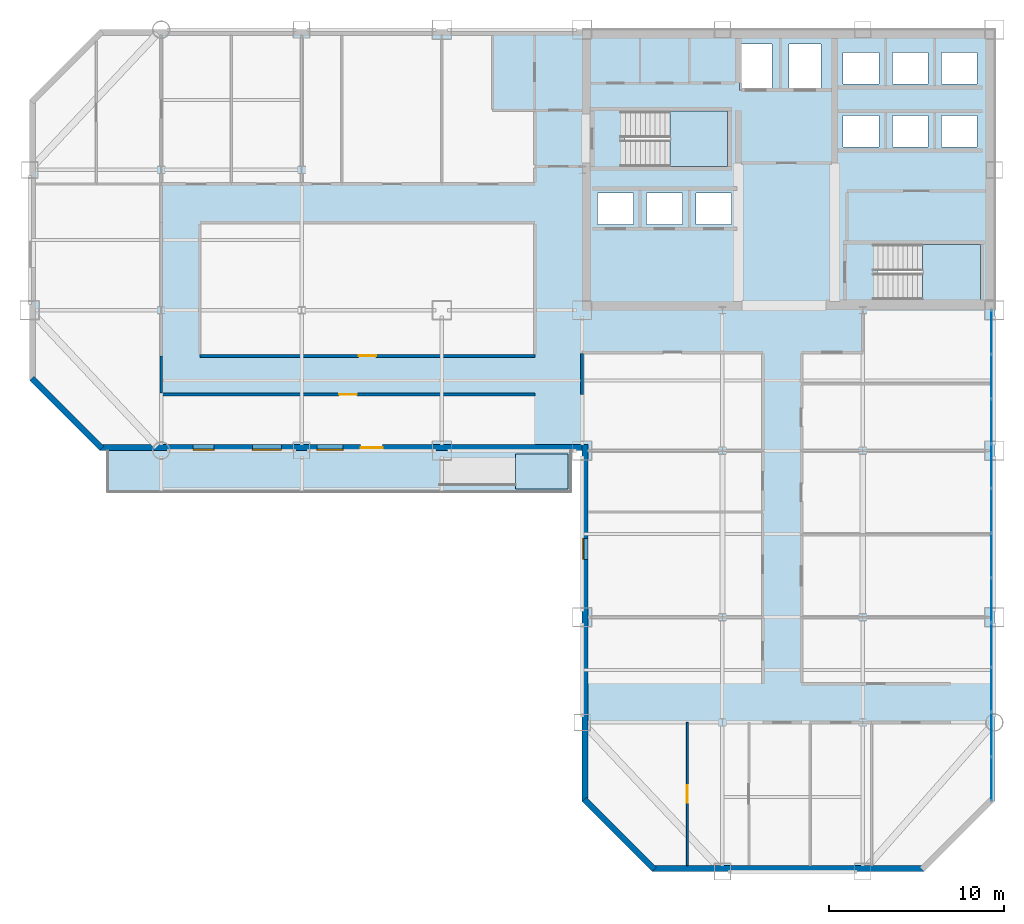
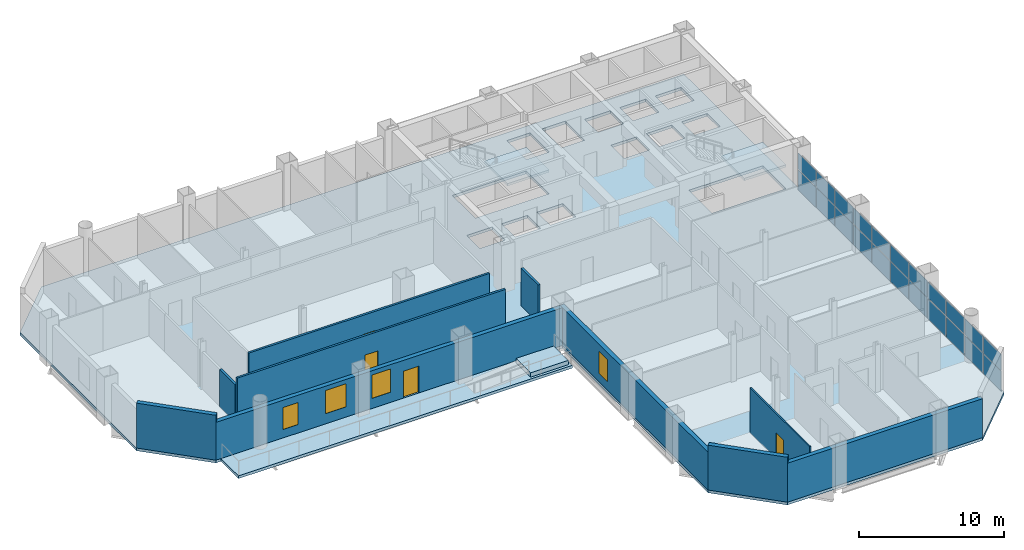
# One storey, part 11 of 16: 22 plates, 10 walls, 5 slabs, 4 doors, 4 windows, 8 openings, 4 elements without a shape of their own.
"""IFC4 building model written with IfcOpenShell, lengths in metres."""

from ifc_helpers import new_model, si_unit, direction, frame, frame_2d, origin, origin_2d, place, context, subcontext, project, spatial, polyline, rectangle, outline, extrude, material, layer, layer_set, type_object, element, fill, aggregate, save


model = new_model("IFC4")

# Units and contexts
model_context = context("Model", 3, precision=1e-05, world=origin(), true_north=direction((0.0, 1.0)))
body_context = subcontext(model_context, "Body", "Model", "MODEL_VIEW")
ifc_project = project(units=[si_unit("LENGTHUNIT", "METRE"), si_unit("AREAUNIT", "SQUARE_METRE"), si_unit("VOLUMEUNIT", "CUBIC_METRE"), si_unit("PLANEANGLEUNIT", "RADIAN"), si_unit("MASSUNIT", "GRAM", prefix="KILO")], contexts=[model_context])

# Site, building, storey
site_placement = place(None, origin())
site = spatial("IfcSite", under=ifc_project, at=site_placement, CompositionType="ELEMENT")
building_placement = place(site_placement, origin())
building = spatial("IfcBuilding", under=site, at=building_placement, Name="Qianrong Seaharbour Tower", CompositionType="ELEMENT")
storey_placement = place(building_placement, frame((0.0, 0.0, 123.0)))
storey = spatial("IfcBuildingStorey", under=building, at=storey_placement, Name="L29", CompositionType="ELEMENT", Elevation=123.0)

# Curtain wall, plates
ifc_material_1 = material(Name="Anodised aluminium 6063-T6 and laminated low-e glass", Category="aluminium")
ifc_layer_1 = layer(ifc_material_1, 0.195068359375)
ifc_layer_set_1 = layer_set([ifc_layer_1], Name="Anodised aluminium 6063-T6 and laminated low-e glass")
curtain_wall_type = type_object("IfcCurtainWallType", Name="CW-SYS-3", PredefinedType="NOTDEFINED", material=ifc_layer_set_1)
curtain_wall_placement = place(storey_placement, origin())
curtain_wall = element("IfcCurtainWall", 1, at=curtain_wall_placement, inside=storey, type_object=curtain_wall_type, Name="L29 Sky-Garden Wintergarden Curtain Wall EAST_WING", PredefinedType="NOTDEFINED")
ifc_material_2 = material(Name="Laminated solar-control low-e glass", Category="glass")
ifc_layer_2 = layer(ifc_material_2, 0.031982421875)
ifc_layer_set_2 = layer_set([ifc_layer_2], Name="Laminated solar-control low-e glass")
plate_type = type_object("IfcPlateType", Name="CW-PAN-VISION-32", PredefinedType="CURTAIN_PANEL", material=ifc_layer_set_2)
plate_1_placement = place(storey_placement, frame((63.830078125, 34.757568359375, 0.06494140625), z_axis=(0.0, 0.0, 1.0), x_axis=(0.0, -1.0, 0.0)))
plate_1 = element("IfcPlate", 2, at=plate_1_placement, type_object=plate_type, Name="CW-3 panel 1.1", PredefinedType="CURTAIN_PANEL", context=body_context, shape_type="SweptSolid", body=[
    extrude(rectangle(XDim=2.445068359375, YDim=0.031982421875, at=origin_2d()), origin(), (0.0, 0.0, 1.0), 1.67626953125),
])
plate_2_placement = place(storey_placement, frame((63.830078125, 34.757568359375, 1.80615234375), z_axis=(0.0, 0.0, 1.0), x_axis=(0.0, -1.0, 0.0)))
plate_2 = element("IfcPlate", 3, at=plate_2_placement, type_object=plate_type, Name="CW-3 panel 1.2", PredefinedType="CURTAIN_PANEL", context=body_context, shape_type="SweptSolid", body=[
    extrude(rectangle(XDim=2.445068359375, YDim=0.031982421875, at=origin_2d()), origin(), (0.0, 0.0, 1.0), 1.353759765625),
])
plate_3_placement = place(storey_placement, frame((63.830078125, 32.22509765625, 0.06494140625), z_axis=(0.0, 0.0, 1.0), x_axis=(0.0, -1.0, 0.0)))
plate_3 = element("IfcPlate", 4, at=plate_3_placement, type_object=plate_type, Name="CW-3 panel 2.1", PredefinedType="CURTAIN_PANEL", context=body_context, shape_type="SweptSolid", body=[
    extrude(rectangle(XDim=2.47998046875, YDim=0.031982421875, at=origin_2d()), origin(), (0.0, 0.0, 1.0), 1.67626953125),
])
plate_4_placement = place(storey_placement, frame((63.830078125, 32.22509765625, 1.80615234375), z_axis=(0.0, 0.0, 1.0), x_axis=(0.0, -1.0, 0.0)))
plate_4 = element("IfcPlate", 5, at=plate_4_placement, type_object=plate_type, Name="CW-3 panel 2.2", PredefinedType="CURTAIN_PANEL", context=body_context, shape_type="SweptSolid", body=[
    extrude(rectangle(XDim=2.47998046875, YDim=0.031982421875, at=origin_2d()), origin(), (0.0, 0.0, 1.0), 1.353759765625),
])
plate_5_placement = place(storey_placement, frame((63.830078125, 29.675048828125, 0.06494140625), z_axis=(0.0, 0.0, 1.0), x_axis=(0.0, -1.0, 0.0)))
plate_5 = element("IfcPlate", 6, at=plate_5_placement, type_object=plate_type, Name="CW-3 panel 3.1", PredefinedType="CURTAIN_PANEL", context=body_context, shape_type="SweptSolid", body=[
    extrude(rectangle(XDim=2.47998046875, YDim=0.031982421875, at=origin_2d()), origin(), (0.0, 0.0, 1.0), 1.67626953125),
])
plate_6_placement = place(storey_placement, frame((63.830078125, 29.675048828125, 1.80615234375), z_axis=(0.0, 0.0, 1.0), x_axis=(0.0, -1.0, 0.0)))
plate_6 = element("IfcPlate", 7, at=plate_6_placement, type_object=plate_type, Name="CW-3 panel 3.2", PredefinedType="CURTAIN_PANEL", context=body_context, shape_type="SweptSolid", body=[
    extrude(rectangle(XDim=2.47998046875, YDim=0.031982421875, at=origin_2d()), origin(), (0.0, 0.0, 1.0), 1.353759765625),
])
plate_7_placement = place(storey_placement, frame((63.830078125, 27.125, 0.06494140625), z_axis=(0.0, 0.0, 1.0), x_axis=(0.0, -1.0, 0.0)))
plate_7 = element("IfcPlate", 8, at=plate_7_placement, type_object=plate_type, Name="CW-3 panel 4.1", PredefinedType="CURTAIN_PANEL", context=body_context, shape_type="SweptSolid", body=[
    extrude(rectangle(XDim=2.47998046875, YDim=0.031982421875, at=origin_2d()), origin(), (0.0, 0.0, 1.0), 1.67626953125),
])
plate_8_placement = place(storey_placement, frame((63.830078125, 27.125, 1.80615234375), z_axis=(0.0, 0.0, 1.0), x_axis=(0.0, -1.0, 0.0)))
plate_8 = element("IfcPlate", 9, at=plate_8_placement, type_object=plate_type, Name="CW-3 panel 4.2", PredefinedType="CURTAIN_PANEL", context=body_context, shape_type="SweptSolid", body=[
    extrude(rectangle(XDim=2.47998046875, YDim=0.031982421875, at=origin_2d()), origin(), (0.0, 0.0, 1.0), 1.353759765625),
])
plate_9_placement = place(storey_placement, frame((63.830078125, 24.574951171875, 0.06494140625), z_axis=(0.0, 0.0, 1.0), x_axis=(0.0, -1.0, 0.0)))
plate_9 = element("IfcPlate", 10, at=plate_9_placement, type_object=plate_type, Name="CW-3 panel 5.1", PredefinedType="CURTAIN_PANEL", context=body_context, shape_type="SweptSolid", body=[
    extrude(rectangle(XDim=2.47998046875, YDim=0.031982421875, at=origin_2d()), origin(), (0.0, 0.0, 1.0), 1.67626953125),
])
plate_10_placement = place(storey_placement, frame((63.830078125, 24.574951171875, 1.80615234375), z_axis=(0.0, 0.0, 1.0), x_axis=(0.0, -1.0, 0.0)))
plate_10 = element("IfcPlate", 11, at=plate_10_placement, type_object=plate_type, Name="CW-3 panel 5.2", PredefinedType="CURTAIN_PANEL", context=body_context, shape_type="SweptSolid", body=[
    extrude(rectangle(XDim=2.47998046875, YDim=0.031982421875, at=origin_2d()), origin(), (0.0, 0.0, 1.0), 1.353759765625),
])
plate_11_placement = place(storey_placement, frame((63.830078125, 22.02490234375, 0.06494140625), z_axis=(0.0, 0.0, 1.0), x_axis=(0.0, -1.0, 0.0)))
plate_11 = element("IfcPlate", 12, at=plate_11_placement, type_object=plate_type, Name="CW-3 panel 6.1", PredefinedType="CURTAIN_PANEL", context=body_context, shape_type="SweptSolid", body=[
    extrude(rectangle(XDim=2.47998046875, YDim=0.031982421875, at=origin_2d()), origin(), (0.0, 0.0, 1.0), 1.67626953125),
])
plate_12_placement = place(storey_placement, frame((63.830078125, 22.02490234375, 1.80615234375), z_axis=(0.0, 0.0, 1.0), x_axis=(0.0, -1.0, 0.0)))
plate_12 = element("IfcPlate", 13, at=plate_12_placement, type_object=plate_type, Name="CW-3 panel 6.2", PredefinedType="CURTAIN_PANEL", context=body_context, shape_type="SweptSolid", body=[
    extrude(rectangle(XDim=2.47998046875, YDim=0.031982421875, at=origin_2d()), origin(), (0.0, 0.0, 1.0), 1.353759765625),
])
plate_13_placement = place(storey_placement, frame((63.830078125, 19.47509765625, 0.06494140625), z_axis=(0.0, 0.0, 1.0), x_axis=(0.0, -1.0, 0.0)))
plate_13 = element("IfcPlate", 14, at=plate_13_placement, type_object=plate_type, Name="CW-3 panel 7.1", PredefinedType="CURTAIN_PANEL", context=body_context, shape_type="SweptSolid", body=[
    extrude(rectangle(XDim=2.47998046875, YDim=0.031982421875, at=origin_2d()), origin(), (0.0, 0.0, 1.0), 1.67626953125),
])
plate_14_placement = place(storey_placement, frame((63.830078125, 19.47509765625, 1.80615234375), z_axis=(0.0, 0.0, 1.0), x_axis=(0.0, -1.0, 0.0)))
plate_14 = element("IfcPlate", 15, at=plate_14_placement, type_object=plate_type, Name="CW-3 panel 7.2", PredefinedType="CURTAIN_PANEL", context=body_context, shape_type="SweptSolid", body=[
    extrude(rectangle(XDim=2.47998046875, YDim=0.031982421875, at=origin_2d()), origin(), (0.0, 0.0, 1.0), 1.353759765625),
])
plate_15_placement = place(storey_placement, frame((63.830078125, 16.925048828125, 0.06494140625), z_axis=(0.0, 0.0, 1.0), x_axis=(0.0, -1.0, 0.0)))
plate_15 = element("IfcPlate", 16, at=plate_15_placement, type_object=plate_type, Name="CW-3 panel 8.1", PredefinedType="CURTAIN_PANEL", context=body_context, shape_type="SweptSolid", body=[
    extrude(rectangle(XDim=2.47998046875, YDim=0.031982421875, at=origin_2d()), origin(), (0.0, 0.0, 1.0), 1.67626953125),
])
plate_16_placement = place(storey_placement, frame((63.830078125, 16.925048828125, 1.80615234375), z_axis=(0.0, 0.0, 1.0), x_axis=(0.0, -1.0, 0.0)))
plate_16 = element("IfcPlate", 17, at=plate_16_placement, type_object=plate_type, Name="CW-3 panel 8.2", PredefinedType="CURTAIN_PANEL", context=body_context, shape_type="SweptSolid", body=[
    extrude(rectangle(XDim=2.47998046875, YDim=0.031982421875, at=origin_2d()), origin(), (0.0, 0.0, 1.0), 1.353759765625),
])
plate_17_placement = place(storey_placement, frame((63.830078125, 14.375, 0.06494140625), z_axis=(0.0, 0.0, 1.0), x_axis=(0.0, -1.0, 0.0)))
plate_17 = element("IfcPlate", 18, at=plate_17_placement, type_object=plate_type, Name="CW-3 panel 9.1", PredefinedType="CURTAIN_PANEL", context=body_context, shape_type="SweptSolid", body=[
    extrude(rectangle(XDim=2.47998046875, YDim=0.031982421875, at=origin_2d()), origin(), (0.0, 0.0, 1.0), 1.67626953125),
])
plate_18_placement = place(storey_placement, frame((63.830078125, 14.375, 1.80615234375), z_axis=(0.0, 0.0, 1.0), x_axis=(0.0, -1.0, 0.0)))
plate_18 = element("IfcPlate", 19, at=plate_18_placement, type_object=plate_type, Name="CW-3 panel 9.2", PredefinedType="CURTAIN_PANEL", context=body_context, shape_type="SweptSolid", body=[
    extrude(rectangle(XDim=2.47998046875, YDim=0.031982421875, at=origin_2d()), origin(), (0.0, 0.0, 1.0), 1.353759765625),
])
plate_19_placement = place(storey_placement, frame((63.830078125, 11.824951171875, 0.06494140625), z_axis=(0.0, 0.0, 1.0), x_axis=(0.0, -1.0, 0.0)))
plate_19 = element("IfcPlate", 20, at=plate_19_placement, type_object=plate_type, Name="CW-3 panel 10.1", PredefinedType="CURTAIN_PANEL", context=body_context, shape_type="SweptSolid", body=[
    extrude(rectangle(XDim=2.47998046875, YDim=0.031982421875, at=origin_2d()), origin(), (0.0, 0.0, 1.0), 1.67626953125),
])
plate_20_placement = place(storey_placement, frame((63.830078125, 11.824951171875, 1.80615234375), z_axis=(0.0, 0.0, 1.0), x_axis=(0.0, -1.0, 0.0)))
plate_20 = element("IfcPlate", 21, at=plate_20_placement, type_object=plate_type, Name="CW-3 panel 10.2", PredefinedType="CURTAIN_PANEL", context=body_context, shape_type="SweptSolid", body=[
    extrude(rectangle(XDim=2.47998046875, YDim=0.031982421875, at=origin_2d()), origin(), (0.0, 0.0, 1.0), 1.353759765625),
])
plate_21_placement = place(storey_placement, frame((63.830078125, 9.29248046875, 0.06494140625), z_axis=(0.0, 0.0, 1.0), x_axis=(0.0, -1.0, 0.0)))
plate_21 = element("IfcPlate", 22, at=plate_21_placement, type_object=plate_type, Name="CW-3 panel 11.1", PredefinedType="CURTAIN_PANEL", context=body_context, shape_type="SweptSolid", body=[
    extrude(rectangle(XDim=2.445068359375, YDim=0.031982421875, at=origin_2d()), origin(), (0.0, 0.0, 1.0), 1.67626953125),
])
plate_22_placement = place(storey_placement, frame((63.830078125, 9.29248046875, 1.80615234375), z_axis=(0.0, 0.0, 1.0), x_axis=(0.0, -1.0, 0.0)))
plate_22 = element("IfcPlate", 23, at=plate_22_placement, type_object=plate_type, Name="CW-3 panel 11.2", PredefinedType="CURTAIN_PANEL", context=body_context, shape_type="SweptSolid", body=[
    extrude(rectangle(XDim=2.445068359375, YDim=0.031982421875, at=origin_2d()), origin(), (0.0, 0.0, 1.0), 1.353759765625),
])
aggregate(curtain_wall, [plate_1, plate_2, plate_3, plate_4, plate_5, plate_6, plate_7, plate_8, plate_9, plate_10, plate_11, plate_12, plate_13, plate_14, plate_15, plate_16, plate_17, plate_18, plate_19, plate_20, plate_21, plate_22])

# Ramp, slab
ifc_material_3 = material(Name="White architectural precast concrete C45/55", Category="concrete")
ramp_type = type_object("IfcRampType", Name="RAMP-RIBBON-GARDEN", PredefinedType="STRAIGHT_RUN_RAMP", material=ifc_material_3)
ramp_placement = place(storey_placement, origin())
ramp = element("IfcRamp", 24, at=ramp_placement, inside=storey, type_object=ramp_type, Name="L29 Harbourfront Garden Ribbon Ramp", PredefinedType="STRAIGHT_RUN_RAMP")
ifc_layer_3 = layer(ifc_material_3, 0.360107421875)
ifc_layer_set_3 = layer_set([ifc_layer_3], Name="White architectural precast concrete C45/55")
slab_type_1 = type_object("IfcSlabType", Name="SLAB-RAMP-LANDING-220", PredefinedType="LANDING", material=ifc_layer_set_3)
slab_1_placement = place(storey_placement, origin())
slab_1 = element("IfcSlab", 25, at=slab_1_placement, type_object=slab_type_1, Name="L29 Harbourfront Ribbon Raised Garden Landing", PredefinedType="LANDING", context=body_context, shape_type="SweptSolid", body=[
    extrude(outline(polyline([(36.699951171875, 25.800048828125), (39.699951171875, 25.800048828125), (39.699951171875, 27.800048828125), (36.699951171875, 27.800048828125), (36.699951171875, 25.800048828125)])), origin(), (0.0, 0.0, 1.0), 0.360107421875),
])
aggregate(ramp, [slab_1])

# Slab
ifc_layer_4 = layer(ifc_material_3, 0.235107421875)
ifc_layer_set_4 = layer_set([ifc_layer_4], Name="White architectural precast concrete C45/55")
slab_type_2 = type_object("IfcSlabType", Name="SLAB-RIBBON-235", PredefinedType="FLOOR", material=ifc_layer_set_4)
slab_2_placement = place(storey_placement, frame((0.0, 0.0, -0.235107421875)))
element("IfcSlab", 26, at=slab_2_placement, inside=storey, type_object=slab_type_2, Name="L29 Harbourfront White Precast Ribbon Gallery Slab", PredefinedType="FLOOR", context=body_context, shape_type="SweptSolid", body=[
    extrude(outline(polyline([(13.39990234375, 25.60009765625), (39.89990234375, 25.60009765625), (39.89990234375, 28.0), (13.39990234375, 28.0), (13.39990234375, 25.60009765625)])), origin(), (0.0, 0.0, 1.0), 0.235107421875),
])

# Stair, slab
ifc_material_4 = material(Name="Concrete C50/60", Category="concrete")
stair_type = type_object("IfcStairType", Name="STAIR-DOGLEG-1500-R22", PredefinedType="HALF_TURN_STAIR", material=ifc_material_4)
stair_1_placement = place(storey_placement, origin())
stair_1 = element("IfcStair", 27, at=stair_1_placement, inside=storey, type_object=stair_type, Name="L29 Protected Escape Stair ST-1", PredefinedType="HALF_TURN_STAIR")
ifc_layer_5 = layer(ifc_material_4, 0.199951171875)
ifc_layer_set_5 = layer_set([ifc_layer_5], Name="Concrete C50/60")
slab_type_3 = type_object("IfcSlabType", Name="SLAB-STAIR-LANDING-200", PredefinedType="LANDING", material=ifc_layer_set_5)
slab_3_placement = place(storey_placement, frame((0.0, 0.0, 1.800048828125)))
slab_3 = element("IfcSlab", 28, at=slab_3_placement, type_object=slab_type_3, Name="ST-1 landing 1", PredefinedType="LANDING", context=body_context, shape_type="SweptSolid", body=[
    extrude(outline(polyline([(45.5, 44.199951171875), (48.800048828125, 44.199951171875), (48.800048828125, 47.35009765625), (45.5, 47.35009765625), (45.5, 44.199951171875)])), origin(), (0.0, 0.0, 1.0), 0.199951171875),
])
aggregate(stair_1, [slab_3])

stair_2_placement = place(storey_placement, origin())
stair_2 = element("IfcStair", 29, at=stair_2_placement, inside=storey, type_object=stair_type, Name="L29 Protected Escape Stair ST-2", PredefinedType="HALF_TURN_STAIR")
slab_4_placement = place(storey_placement, frame((0.0, 0.0, 1.800048828125)))
slab_4 = element("IfcSlab", 30, at=slab_4_placement, type_object=slab_type_3, Name="ST-2 landing 1", PredefinedType="LANDING", context=body_context, shape_type="SweptSolid", body=[
    extrude(outline(polyline([(59.89990234375, 36.60009765625), (63.199951171875, 36.60009765625), (63.199951171875, 39.75), (59.89990234375, 39.75), (59.89990234375, 36.60009765625)])), origin(), (0.0, 0.0, 1.0), 0.199951171875),
])
aggregate(stair_2, [slab_4])

# Slab
ifc_layer_6 = layer(ifc_material_4, 0.235107421875)
ifc_layer_set_6 = layer_set([ifc_layer_6], Name="Concrete C50/60")
slab_type_4 = type_object("IfcSlabType", Name="SLAB-Z2-235", PredefinedType="FLOOR", material=ifc_layer_set_6)
slab_5_placement = place(storey_placement, frame((0.0, 0.0, -0.235107421875)))
element("IfcSlab", 31, at=slab_5_placement, inside=storey, type_object=slab_type_4, Name="L29 Structural Floor Slab", PredefinedType="FLOOR", context=body_context, shape_type="SweptSolid", body=[
    extrude(outline(polyline([(44.5, 4.0), (60.0, 4.0), (64.0, 8.0), (64.0, 52.0), (13.0, 52.0), (9.0, 48.0), (9.0, 32.0), (13.0, 28.0), (40.5, 28.0), (40.5, 8.0), (44.5, 4.0)]), holes=[polyline([(42.93994140625, 44.199951171875), (42.93994140625, 47.35009765625), (48.800048828125, 47.35009765625), (48.800048828125, 44.199951171875), (42.93994140625, 44.199951171875)]), polyline([(57.340087890625, 36.60009765625), (57.340087890625, 39.75), (63.199951171875, 39.75), (63.199951171875, 36.60009765625), (57.340087890625, 36.60009765625)]), polyline([(49.47998046875, 48.530029296875), (49.47998046875, 51.169921875), (51.320068359375, 51.169921875), (51.320068359375, 48.530029296875), (49.47998046875, 48.530029296875)]), polyline([(52.280029296875, 48.530029296875), (52.280029296875, 51.169921875), (54.1201171875, 51.169921875), (54.1201171875, 48.530029296875), (52.280029296875, 48.530029296875)]), polyline([(41.3798828125, 40.89990234375), (41.3798828125, 42.699951171875), (43.419921875, 42.699951171875), (43.419921875, 40.89990234375), (41.3798828125, 40.89990234375)]), polyline([(44.179931640625, 40.89990234375), (44.179931640625, 42.699951171875), (46.219970703125, 42.699951171875), (46.219970703125, 40.89990234375), (44.179931640625, 40.89990234375)]), polyline([(46.97998046875, 40.89990234375), (46.97998046875, 42.699951171875), (49.02001953125, 42.699951171875), (49.02001953125, 40.89990234375), (46.97998046875, 40.89990234375)]), polyline([(55.3798828125, 45.300048828125), (55.3798828125, 47.10009765625), (57.419921875, 47.10009765625), (57.419921875, 45.300048828125), (55.3798828125, 45.300048828125)]), polyline([(58.179931640625, 45.300048828125), (58.179931640625, 47.10009765625), (60.219970703125, 47.10009765625), (60.219970703125, 45.300048828125), (58.179931640625, 45.300048828125)]), polyline([(60.97998046875, 45.300048828125), (60.97998046875, 47.10009765625), (63.02001953125, 47.10009765625), (63.02001953125, 45.300048828125), (60.97998046875, 45.300048828125)]), polyline([(55.3798828125, 48.89990234375), (55.3798828125, 50.699951171875), (57.419921875, 50.699951171875), (57.419921875, 48.89990234375), (55.3798828125, 48.89990234375)]), polyline([(58.179931640625, 48.89990234375), (58.179931640625, 50.699951171875), (60.219970703125, 50.699951171875), (60.219970703125, 48.89990234375), (58.179931640625, 48.89990234375)]), polyline([(60.97998046875, 48.89990234375), (60.97998046875, 50.699951171875), (63.02001953125, 50.699951171875), (63.02001953125, 48.89990234375), (60.97998046875, 48.89990234375)])]), origin(), (0.0, 0.0, 1.0), 0.235107421875),
])

# Wall, opening, door
ifc_material_5 = material(Name="Fire-rated acoustic gypsum board partition")
ifc_layer_7 = layer(ifc_material_5, 0.1650390625)
ifc_layer_set_7 = layer_set([ifc_layer_7], Name="Fire-rated acoustic gypsum board partition")
wall_type_1 = type_object("IfcWallType", Name="WALL-CORR-PART-165", PredefinedType="PARTITIONING", material=ifc_layer_set_7)
wall_1_placement = place(storey_placement, frame((37.800048828125, 31.199951171875, 0.0), z_axis=(0.0, 0.0, 1.0), x_axis=(-1.0, 0.0, 0.0)))
wall_1 = element("IfcWall", 32, at=wall_1_placement, inside=storey, type_object=wall_type_1, Name="L29 Interior Partition Wall 015", PredefinedType="PARTITIONING", context=body_context, shape_type="SweptSolid", body=[
    extrude(rectangle(XDim=21.300048828125, YDim=0.1650390625, at=frame_2d((10.64990234375, 0.0))), origin(), (0.0, 0.0, 1.0), 3.764892578125),
])
opening_1_placement = place(wall_1_placement, frame((10.14990234375, 0.0, 0.0)))
opening_1 = element("IfcOpeningElement", 33, at=opening_1_placement, cuts=wall_1, Name="Opening DO-01", PredefinedType="OPENING", context=body_context, shape_type="SweptSolid", body=[
    extrude(rectangle(XDim=1.0, YDim=2.14990234375, at=frame_2d((0.5, 1.074951171875))), frame((0.0, 0.092529296875, 0.0), z_axis=(0.0, -1.0, 0.0), x_axis=(1.0, 0.0, 0.0)), (0.0, 0.0, 1.0), 0.18505859375),
])
ifc_material_6 = material(Name="Acoustic timber and galvanized steel fire door assembly", Category="steel")
door_type_1 = type_object("IfcDoorType", Name="DOOR-OFFICE-1000x2150", OperationType="NOTDEFINED", PredefinedType="DOOR", material=ifc_material_6)
door_1_placement = place(opening_1_placement, origin())
door_1 = element("IfcDoor", 34, at=door_1_placement, inside=storey, type_object=door_type_1, Name="L29 Open-Plan Office Door", OperationType="SINGLE_SWING_RIGHT", OverallHeight=2.14990234375, OverallWidth=1.0, PredefinedType="DOOR", context=body_context, shape_type="SweptSolid", body=[
    extrude(rectangle(XDim=1.0, YDim=2.14990234375, at=frame_2d((0.5, 1.074951171875))), frame((0.0, 0.02490234375, 0.0), z_axis=(0.0, -1.0, 0.0), x_axis=(1.0, 0.0, 0.0)), (0.0, 0.0, 1.0), 0.050048828125),
])
fill(opening_1, door_1)

# Wall
wall_2_placement = place(storey_placement, frame((16.5, 31.2744140625, 0.0), z_axis=(0.0, 0.0, 1.0), x_axis=(0.0, 1.0, 0.0)))
element("IfcWall", 35, at=wall_2_placement, inside=storey, type_object=wall_type_1, Name="L29 Interior Partition Wall 016", PredefinedType="PARTITIONING", context=body_context, shape_type="SweptSolid", body=[
    extrude(rectangle(XDim=2.12548828125, YDim=0.1650390625, at=frame_2d((1.062744140625, 0.0))), origin(), (0.0, 0.0, 1.0), 3.156982421875),
])

# Wall, opening, door
wall_3_placement = place(storey_placement, frame((18.699951171875, 33.39990234375, 0.0), z_axis=(0.0, 0.0, 1.0), x_axis=(1.0, 0.0, 0.0)))
wall_3 = element("IfcWall", 36, at=wall_3_placement, inside=storey, type_object=wall_type_1, Name="L29 Interior Partition Wall 017", PredefinedType="PARTITIONING", context=body_context, shape_type="SweptSolid", body=[
    extrude(rectangle(XDim=19.10009765625, YDim=0.1650390625, at=frame_2d((9.550048828125, 0.0))), origin(), (0.0, 0.0, 1.0), 3.764892578125),
])
opening_2_placement = place(wall_3_placement, frame((9.050048828125, 0.0, 0.0)))
opening_2 = element("IfcOpeningElement", 37, at=opening_2_placement, cuts=wall_3, Name="Opening DO-01", PredefinedType="OPENING", context=body_context, shape_type="SweptSolid", body=[
    extrude(rectangle(XDim=1.0, YDim=2.14990234375, at=frame_2d((0.5, 1.074951171875))), frame((0.0, 0.092529296875, 0.0), z_axis=(0.0, -1.0, 0.0), x_axis=(1.0, 0.0, 0.0)), (0.0, 0.0, 1.0), 0.18505859375),
])
door_2_placement = place(opening_2_placement, origin())
door_2 = element("IfcDoor", 38, at=door_2_placement, inside=storey, type_object=door_type_1, Name="L29 West Wing Open-Plan Office Door", OperationType="SINGLE_SWING_LEFT", OverallHeight=2.14990234375, OverallWidth=1.0, PredefinedType="DOOR", context=body_context, shape_type="SweptSolid", body=[
    extrude(rectangle(XDim=1.0, YDim=2.14990234375, at=frame_2d((0.5, 1.074951171875))), frame((0.0, 0.02490234375, 0.0), z_axis=(0.0, -1.0, 0.0), x_axis=(1.0, 0.0, 0.0)), (0.0, 0.0, 1.0), 0.050048828125),
])
fill(opening_2, door_2)

# Wall
wall_4_placement = place(storey_placement, frame((40.5, 33.525390625, 0.0), z_axis=(0.0, 0.0, 1.0), x_axis=(0.0, -1.0, 0.0)))
element("IfcWall", 39, at=wall_4_placement, inside=storey, type_object=wall_type_1, Name="L29 Interior Partition Wall 029", PredefinedType="PARTITIONING", context=body_context, shape_type="SweptSolid", body=[
    extrude(rectangle(XDim=2.325439453125, YDim=0.1650390625, at=frame_2d((1.16259765625, 0.0))), origin(), (0.0, 0.0, 1.0), 3.156982421875),
])

# Wall, opening, door
ifc_material_7 = material(Name="Demountable aluminium-framed acoustic office partition", Category="aluminium")
ifc_layer_8 = layer(ifc_material_7, 0.110107421875)
ifc_layer_set_8 = layer_set([ifc_layer_8], Name="Demountable aluminium-framed acoustic office partition")
wall_type_2 = type_object("IfcWallType", Name="WALL-DEMOUNT-110", PredefinedType="MOVABLE", material=ifc_layer_set_8)
wall_5_placement = place(storey_placement, frame((46.5, 12.5, 0.0), z_axis=(0.0, 0.0, 1.0), x_axis=(0.0, -1.0, 0.0)))
wall_5 = element("IfcWall", 40, at=wall_5_placement, inside=storey, type_object=wall_type_2, Name="L29 Interior Partition Wall 061", PredefinedType="MOVABLE", context=body_context, shape_type="SweptSolid", body=[
    extrude(rectangle(XDim=8.16796875, YDim=0.110107421875, at=frame_2d((4.083984375, 0.0))), origin(), (0.0, 0.0, 1.0), 3.764892578125),
])
opening_3_placement = place(wall_5_placement, frame((3.583984375, 0.0, 0.0)))
opening_3 = element("IfcOpeningElement", 41, at=opening_3_placement, cuts=wall_5, Name="Opening DO-01", PredefinedType="OPENING", context=body_context, shape_type="SweptSolid", body=[
    extrude(rectangle(XDim=1.0, YDim=2.14990234375, at=frame_2d((0.5, 1.074951171875))), frame((0.0, 0.06494140625, 0.0), z_axis=(0.0, -1.0, 0.0), x_axis=(1.0, 0.0, 0.0)), (0.0, 0.0, 1.0), 0.130126953125),
])
door_3_placement = place(opening_3_placement, origin())
door_3 = element("IfcDoor", 42, at=door_3_placement, inside=storey, type_object=door_type_1, Name="L29 Executive Office 1 Door", OperationType="SINGLE_SWING_RIGHT", OverallHeight=2.14990234375, OverallWidth=1.0, PredefinedType="DOOR", context=body_context, shape_type="SweptSolid", body=[
    extrude(rectangle(XDim=1.0, YDim=2.14990234375, at=frame_2d((0.5, 1.074951171875))), frame((0.0, 0.02490234375, 0.0), z_axis=(0.0, -1.0, 0.0), x_axis=(1.0, 0.0, 0.0)), (0.0, 0.0, 1.0), 0.050048828125),
])
fill(opening_3, door_3)

# Wall, opening, window
ifc_material_8 = material(Name="Unitised buff brick on Precast concrete C45/55", Category="masonry")
ifc_layer_9 = layer(ifc_material_8, 0.340087890625)
ifc_layer_set_9 = layer_set([ifc_layer_9], Name="Unitised buff brick on Precast concrete C45/55")
wall_type_3 = type_object("IfcWallType", Name="WALL-EXT-BRICK-BUFF-340", PredefinedType="SOLIDWALL", material=ifc_layer_set_9)
wall_6_placement = place(storey_placement, frame((40.669921875, 8.0, 0.0), z_axis=(0.0, 0.0, 1.0), x_axis=(0.0, 1.0, 0.0)))
wall_6 = element("IfcWall", 43, at=wall_6_placement, inside=storey, type_object=wall_type_3, Name="L29 Exterior Masonry Facade Wall REENTRANT_WEST", PredefinedType="SOLIDWALL", context=body_context, shape_type="SweptSolid", body=[
    extrude(rectangle(XDim=20.340087890625, YDim=0.340087890625, at=frame_2d((10.169921875, 0.0))), origin(), (0.0, 0.0, 1.0), 3.1650390625),
])
opening_4_placement = place(wall_6_placement, frame((13.800048828125, 0.0, 0.699951171875)))
opening_4 = element("IfcOpeningElement", 44, at=opening_4_placement, cuts=wall_6, Name="Opening WN-01", PredefinedType="OPENING", context=body_context, shape_type="SweptSolid", body=[
    extrude(rectangle(XDim=1.199951171875, YDim=1.85009765625, at=frame_2d((0.60009765625, 0.925048828125))), frame((0.0, 0.18017578125, 0.0), z_axis=(0.0, -1.0, 0.0), x_axis=(1.0, 0.0, 0.0)), (0.0, 0.0, 1.0), 0.360107421875),
])
ifc_material_9 = material(Name="Insulated low-e double glazing in thermally broken aluminium 6063-T6 frame", Category="aluminium")
window_type_1 = type_object("IfcWindowType", Name="WIN-PUNCH-1200x1850", PartitioningType="DOUBLE_PANEL_VERTICAL", PredefinedType="WINDOW", material=ifc_material_9)
window_1_placement = place(opening_4_placement, origin())
window_1 = element("IfcWindow", 45, at=window_1_placement, inside=storey, type_object=window_type_1, Name="L29 Deep-Set Punched Window 00.04", OverallHeight=1.85009765625, OverallWidth=1.199951171875, PartitioningType="DOUBLE_PANEL_VERTICAL", PredefinedType="WINDOW", context=body_context, shape_type="SweptSolid", body=[
    extrude(rectangle(XDim=1.199951171875, YDim=1.85009765625, at=frame_2d((0.60009765625, 0.925048828125))), frame((0.0, 0.150146484375, 0.0), z_axis=(0.0, -1.0, 0.0), x_axis=(1.0, 0.0, 0.0)), (0.0, 0.0, 1.0), 0.06005859375),
])
fill(opening_4, window_1)

# Wall, openings, door, windows
wall_7_placement = place(storey_placement, frame((40.52001953125, 28.169921875, 0.0), z_axis=(0.0, 0.0, 1.0), x_axis=(-1.0, 0.0, 0.0)))
wall_7 = element("IfcWall", 46, at=wall_7_placement, inside=storey, type_object=wall_type_3, Name="L29 Exterior Masonry Facade Wall HARBOUR_RIBBON", PredefinedType="SOLIDWALL", context=body_context, shape_type="SweptSolid", body=[
    extrude(rectangle(XDim=27.52001953125, YDim=0.340087890625, at=frame_2d((13.760009765625, 0.0))), origin(), (0.0, 0.0, 1.0), 3.1650390625),
])
opening_5_placement = place(wall_7_placement, frame((13.64990234375, 0.0, 0.85009765625)))
opening_5 = element("IfcOpeningElement", 47, at=opening_5_placement, cuts=wall_7, Name="Opening WN-03", PredefinedType="OPENING", context=body_context, shape_type="SweptSolid", body=[
    extrude(rectangle(XDim=1.5, YDim=1.949951171875, at=frame_2d((0.75, 0.97509765625))), frame((0.0, 0.18017578125, 0.0), z_axis=(0.0, -1.0, 0.0), x_axis=(1.0, 0.0, 0.0)), (0.0, 0.0, 1.0), 0.360107421875),
])
opening_6_placement = place(wall_7_placement, frame((17.175048828125, 0.0, 0.85009765625)))
opening_6 = element("IfcOpeningElement", 48, at=opening_6_placement, cuts=wall_7, Name="Opening WN-04", PredefinedType="OPENING", context=body_context, shape_type="SweptSolid", body=[
    extrude(rectangle(XDim=1.64990234375, YDim=1.949951171875, at=frame_2d((0.824951171875, 0.97509765625))), frame((0.0, 0.18017578125, 0.0), z_axis=(0.0, -1.0, 0.0), x_axis=(1.0, 0.0, 0.0)), (0.0, 0.0, 1.0), 0.360107421875),
])
opening_7_placement = place(wall_7_placement, frame((21.0, 0.0, 0.699951171875)))
opening_7 = element("IfcOpeningElement", 49, at=opening_7_placement, cuts=wall_7, Name="Opening WN-01", PredefinedType="OPENING", context=body_context, shape_type="SweptSolid", body=[
    extrude(rectangle(XDim=1.199951171875, YDim=1.85009765625, at=frame_2d((0.60009765625, 0.925048828125))), frame((0.0, 0.18017578125, 0.0), z_axis=(0.0, -1.0, 0.0), x_axis=(1.0, 0.0, 0.0)), (0.0, 0.0, 1.0), 0.360107421875),
])
opening_8_placement = place(wall_7_placement, frame((11.39501953125, 0.0, 0.0)))
opening_8 = element("IfcOpeningElement", 50, at=opening_8_placement, cuts=wall_7, Name="Opening D-TER1", PredefinedType="OPENING", context=body_context, shape_type="SweptSolid", body=[
    extrude(rectangle(XDim=1.25, YDim=2.25, at=frame_2d((0.625, 1.125))), frame((0.0, 0.18017578125, 0.0), z_axis=(0.0, -1.0, 0.0), x_axis=(1.0, 0.0, 0.0)), (0.0, 0.0, 1.0), 0.360107421875),
])
ifc_material_10 = material(Name="Insulated galvanized steel and laminated glass door assembly", Category="steel")
door_type_2 = type_object("IfcDoorType", Name="DOOR-EXT-TERRACE-1250x2250", OperationType="NOTDEFINED", PredefinedType="DOOR", material=ifc_material_10)
door_4_placement = place(opening_8_placement, origin())
door_4 = element("IfcDoor", 51, at=door_4_placement, inside=storey, type_object=door_type_2, Name="L29 Harbourfront Ribbon Gallery Access Door", OperationType="SINGLE_SWING_RIGHT", OverallHeight=2.25, OverallWidth=1.25, PredefinedType="DOOR", context=body_context, shape_type="SweptSolid", body=[
    extrude(rectangle(XDim=1.25, YDim=2.25, at=frame_2d((0.625, 1.125))), frame((0.0, 0.02490234375, 0.0), z_axis=(0.0, -1.0, 0.0), x_axis=(1.0, 0.0, 0.0)), (0.0, 0.0, 1.0), 0.050048828125),
])
fill(opening_8, door_4)
window_2_placement = place(opening_7_placement, origin())
window_2 = element("IfcWindow", 52, at=window_2_placement, inside=storey, type_object=window_type_1, Name="L29 Deep-Set Punched Window 01.06", OverallHeight=1.85009765625, OverallWidth=1.199951171875, PartitioningType="DOUBLE_PANEL_VERTICAL", PredefinedType="WINDOW", context=body_context, shape_type="SweptSolid", body=[
    extrude(rectangle(XDim=1.199951171875, YDim=1.85009765625, at=frame_2d((0.60009765625, 0.925048828125))), frame((0.0, 0.150146484375, 0.0), z_axis=(0.0, -1.0, 0.0), x_axis=(1.0, 0.0, 0.0)), (0.0, 0.0, 1.0), 0.06005859375),
])
fill(opening_7, window_2)
window_type_2 = type_object("IfcWindowType", Name="WIN-PUNCH-1500x1950", PartitioningType="DOUBLE_PANEL_VERTICAL", PredefinedType="WINDOW", material=ifc_material_9)
window_3_placement = place(opening_5_placement, origin())
window_3 = element("IfcWindow", 53, at=window_3_placement, inside=storey, type_object=window_type_2, Name="L29 Deep-Set Punched Window 01.04", OverallHeight=1.949951171875, OverallWidth=1.5, PartitioningType="DOUBLE_PANEL_VERTICAL", PredefinedType="WINDOW", context=body_context, shape_type="SweptSolid", body=[
    extrude(rectangle(XDim=1.5, YDim=1.949951171875, at=frame_2d((0.75, 0.97509765625))), frame((0.0, 0.150146484375, 0.0), z_axis=(0.0, -1.0, 0.0), x_axis=(1.0, 0.0, 0.0)), (0.0, 0.0, 1.0), 0.06005859375),
])
fill(opening_5, window_3)
window_type_3 = type_object("IfcWindowType", Name="WIN-PUNCH-1650x1950", PartitioningType="DOUBLE_PANEL_VERTICAL", PredefinedType="WINDOW", material=ifc_material_9)
window_4_placement = place(opening_6_placement, origin())
window_4 = element("IfcWindow", 54, at=window_4_placement, inside=storey, type_object=window_type_3, Name="L29 Deep-Set Punched Window 01.05", OverallHeight=1.949951171875, OverallWidth=1.64990234375, PartitioningType="DOUBLE_PANEL_VERTICAL", PredefinedType="WINDOW", context=body_context, shape_type="SweptSolid", body=[
    extrude(rectangle(XDim=1.64990234375, YDim=1.949951171875, at=frame_2d((0.824951171875, 0.97509765625))), frame((0.0, 0.150146484375, 0.0), z_axis=(0.0, -1.0, 0.0), x_axis=(1.0, 0.0, 0.0)), (0.0, 0.0, 1.0), 0.06005859375),
])
fill(opening_6, window_4)

# Walls
wall_8_placement = place(storey_placement, frame((13.1201171875, 28.1201171875, 0.0), z_axis=(0.0, 0.0, 1.0), x_axis=(-0.707106781187, 0.707106781187, 0.0)))
element("IfcWall", 55, at=wall_8_placement, inside=storey, type_object=wall_type_3, Name="L29 Exterior Masonry Facade Wall E02", PredefinedType="SOLIDWALL", context=body_context, shape_type="SweptSolid", body=[
    extrude(rectangle(XDim=5.65673828125, YDim=0.340087890625, at=frame_2d((2.828369140625, 0.0))), origin(), (0.0, 0.0, 1.0), 3.764892578125),
])
wall_9_placement = place(storey_placement, frame((60.0, 4.169921875, 0.0), z_axis=(0.0, 0.0, 1.0), x_axis=(-1.0, 0.0, 0.0)))
element("IfcWall", 56, at=wall_9_placement, inside=storey, type_object=wall_type_3, Name="L29 Exterior Masonry Facade Wall SOUTH_TIP", PredefinedType="SOLIDWALL", context=body_context, shape_type="SweptSolid", body=[
    extrude(rectangle(XDim=15.5, YDim=0.340087890625, at=frame_2d((7.75, 0.0))), origin(), (0.0, 0.0, 1.0), 3.264892578125),
])
wall_10_placement = place(storey_placement, frame((44.6201171875, 4.1201171875, 0.0), z_axis=(0.0, 0.0, 1.0), x_axis=(-0.707106781187, 0.707106781187, 0.0)))
element("IfcWall", 57, at=wall_10_placement, inside=storey, type_object=wall_type_3, Name="L29 Exterior Masonry Facade Wall E09", PredefinedType="SOLIDWALL", context=body_context, shape_type="SweptSolid", body=[
    extrude(rectangle(XDim=5.65673828125, YDim=0.340087890625, at=frame_2d((2.828369140625, 0.0))), origin(), (0.0, 0.0, 1.0), 3.764892578125),
])

save(model, "model.ifc")
